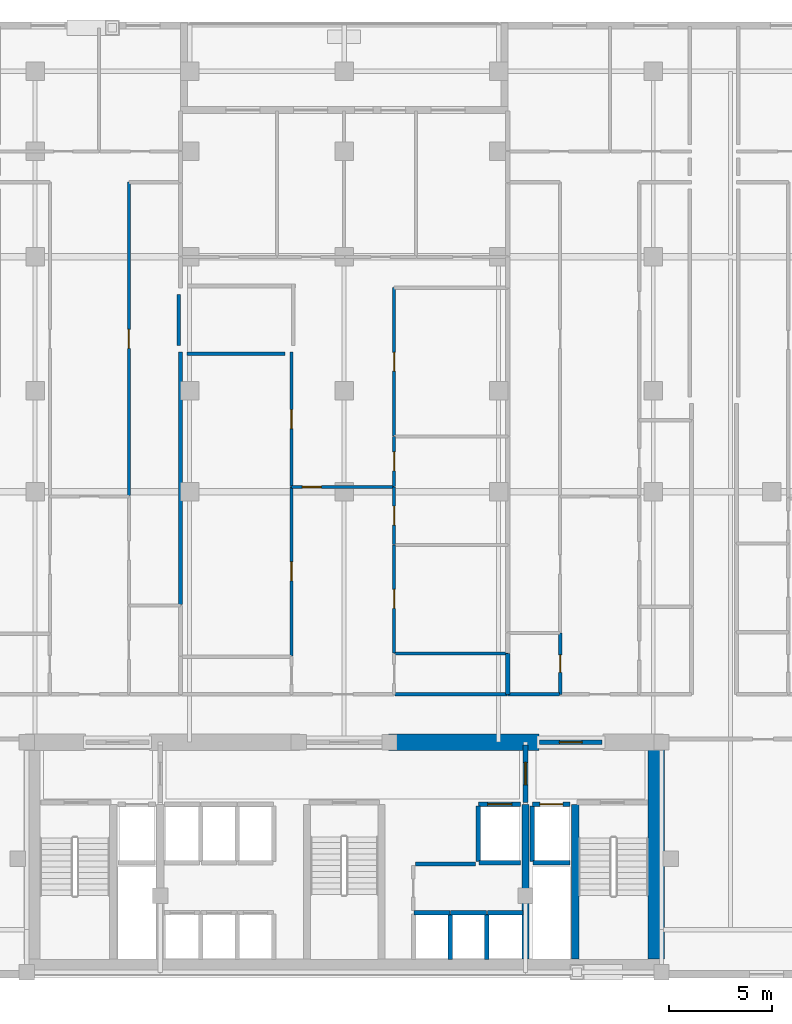
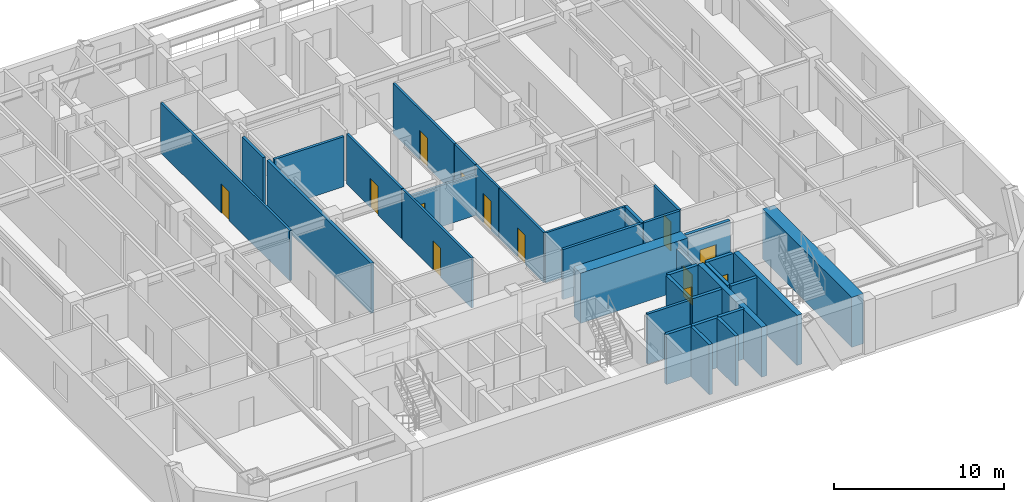
# One storey, part 5 of 10: 34 walls, 13 doors, 13 openings.
"""IFC4 building model written with IfcOpenShell, lengths in metres."""

from ifc_helpers import new_model, si_unit, direction, frame, frame_2d, origin, place, context, subcontext, project, spatial, rectangle, extrude, material, layer, layer_set, type_object, element, fill, save


model = new_model("IFC4")

# Units and contexts
model_context = context("Model", 3, precision=1e-05, world=origin(), true_north=direction((0.0, 1.0)))
body_context = subcontext(model_context, "Body", "Model", "MODEL_VIEW")
ifc_project = project(units=[si_unit("LENGTHUNIT", "METRE"), si_unit("AREAUNIT", "SQUARE_METRE"), si_unit("VOLUMEUNIT", "CUBIC_METRE"), si_unit("PLANEANGLEUNIT", "RADIAN"), si_unit("MASSUNIT", "GRAM", prefix="KILO")], contexts=[model_context])

# Site, building, storey
site_placement = place(None, origin())
site = spatial("IfcSite", under=ifc_project, at=site_placement, CompositionType="ELEMENT")
building_placement = place(site_placement, origin())
building = spatial("IfcBuilding", under=site, at=building_placement, Name="Ventersveld Concourse Tower", CompositionType="ELEMENT")
storey_placement = place(building_placement, frame((0.0, 0.0, 64.449951171875)))
storey = spatial("IfcBuildingStorey", under=building, at=storey_placement, Name="L15", CompositionType="ELEMENT", Elevation=64.449951171875)

# Walls
ifc_material_1 = material(Name="Concrete C60/75", Category="concrete")
ifc_layer_1 = layer(ifc_material_1, 0.35009765625)
ifc_layer_set_1 = layer_set([ifc_layer_1], Name="Concrete C60/75")
wall_type_1 = type_object("IfcWallType", Name="WL-CORE-350L", PredefinedType="SHEAR", material=ifc_layer_set_1)
for number, where, z_axis, x_axis, name in (
    (1, (37.550048828125, 0.919921875, 0.0), (0.0, 0.0, 1.0), (0.0, 1.0, 0.0), "L15 Core Internal Shear Web W-SVL-W"),
    (2, (39.9599609375, 0.919921875, 0.0), (0.0, 0.0, 1.0), (0.0, 1.0, 0.0), "L15 Core Internal Shear Web W-ST2-W"),
):
    element("IfcWall", number, at=place(storey_placement, frame(where, z_axis=z_axis, x_axis=x_axis)), inside=storey, type_object=wall_type_1, Name=name, PredefinedType="SHEAR", context=body_context, shape_type="SweptSolid", body=[
        extrude(rectangle(XDim=7.5, YDim=0.35009765625, at=frame_2d((3.75, 0.0))), origin(), (0.0, 0.0, 1.0), 3.60009765625),
    ])
ifc_layer_2 = layer(ifc_material_1, 0.800048828125)
ifc_layer_set_2 = layer_set([ifc_layer_2], Name="Concrete C60/75")
wall_type_2 = type_object("IfcWallType", Name="WL-CORE-800", PredefinedType="SHEAR", material=ifc_layer_set_2)
wall_1_placement = place(storey_placement, frame((43.89990234375, 0.919921875, 0.0), z_axis=(0.0, 0.0, 1.0), x_axis=(0.0, 1.0, 0.0)))
element("IfcWall", 3, at=wall_1_placement, inside=storey, type_object=wall_type_2, Name="L15 Rear Core East Shear Wall", PredefinedType="SHEAR", context=body_context, shape_type="SweptSolid", body=[
    extrude(rectangle(XDim=10.530029296875, YDim=0.800048828125, at=frame_2d((5.26513671875, 0.0))), origin(), (0.0, 0.0, 1.0), 3.60009765625),
])
wall_2_placement = place(storey_placement, frame((30.89990234375, 11.449951171875, 0.0), z_axis=(0.0, 0.0, 1.0), x_axis=(1.0, 0.0, 0.0)))
element("IfcWall", 4, at=wall_2_placement, inside=storey, type_object=wall_type_2, Name="L15 Rear Core North Shear Wall NMR", PredefinedType="SHEAR", context=body_context, shape_type="SweptSolid", body=[
    extrude(rectangle(XDim=7.300048828125, YDim=0.800048828125, at=frame_2d((3.64990234375, 0.0))), origin(), (0.0, 0.0, 1.0), 3.60009765625),
])
ifc_material_2 = material(Name="Fire-rated autoclaved aerated masonry blockwork", Category="masonry")
ifc_layer_3 = layer(ifc_material_2, 0.179931640625)
ifc_layer_set_3 = layer_set([ifc_layer_3], Name="Fire-rated autoclaved aerated masonry blockwork")
wall_type_3 = type_object("IfcWallType", Name="WL-CORR-180", PredefinedType="PARTITIONING", material=ifc_layer_set_3)
wall_3_placement = place(storey_placement, frame((32.219970703125, 5.530029296875, 0.0), z_axis=(0.0, 0.0, 1.0), x_axis=(1.0, 0.0, 0.0)))
element("IfcWall", 5, at=wall_3_placement, inside=storey, type_object=wall_type_3, Name="L15 Core Top Wall SP-L15-CBAY2", PredefinedType="PARTITIONING", context=body_context, shape_type="SweptSolid", body=[
    extrude(rectangle(XDim=2.900146484375, YDim=0.179931640625, at=frame_2d((1.4501953125, 0.0))), origin(), (0.0, 0.0, 1.0), 3.60009765625),
])
wall_4_placement = place(storey_placement, frame((36.68505859375, 13.77001953125, 0.0), z_axis=(0.0, 0.0, 1.0), x_axis=(1.0, 0.0, 0.0)))
element("IfcWall", 6, at=wall_4_placement, inside=storey, type_object=wall_type_3, Name="L15 Interior Partition SP-L15-COR-SP-L15-15CE-BATH", PredefinedType="PARTITIONING", context=body_context, shape_type="SweptSolid", body=[
    extrude(rectangle(XDim=2.509765625, YDim=0.179931640625, at=frame_2d((1.2548828125, 0.0))), origin(), (0.0, 0.0, 1.0), 3.60009765625),
])
wall_5_placement = place(storey_placement, frame((31.209716796875, 13.77001953125, 0.0), z_axis=(0.0, 0.0, 1.0), x_axis=(1.0, 0.0, 0.0)))
element("IfcWall", 7, at=wall_5_placement, inside=storey, type_object=wall_type_3, Name="L15 Interior Partition SP-L15-COR-SP-L15-15CM-KIT", PredefinedType="PARTITIONING", context=body_context, shape_type="SweptSolid", body=[
    extrude(rectangle(XDim=5.4453125, YDim=0.179931640625, at=frame_2d((2.72265625, 0.0))), origin(), (0.0, 0.0, 1.0), 3.60009765625),
])
wall_6_placement = place(storey_placement, frame((20.719970703125, 33.18017578125, 0.0), z_axis=(0.0, 0.0, 1.0), x_axis=(0.0, -1.0, 0.0)))
element("IfcWall", 8, at=wall_6_placement, inside=storey, type_object=wall_type_3, Name="L15 Room Enclosure Wall SP-L15-15CW-DENR", PredefinedType="PARTITIONING", context=body_context, shape_type="SweptSolid", body=[
    extrude(rectangle(XDim=2.47802734375, YDim=0.179931640625, at=frame_2d((1.239013671875, 0.0))), origin(), (0.0, 0.0, 1.0), 3.60009765625),
])
wall_7_placement = place(storey_placement, frame((21.135009765625, 30.292236328125, 0.0), z_axis=(0.0, 0.0, 1.0), x_axis=(1.0, 0.0, 0.0)))
element("IfcWall", 9, at=wall_7_placement, inside=storey, type_object=wall_type_3, Name="L15 Room Enclosure Wall SP-L15-15CM-DENL", PredefinedType="PARTITIONING", context=body_context, shape_type="SweptSolid", body=[
    extrude(rectangle(XDim=4.734619140625, YDim=0.179931640625, at=frame_2d((2.3671875, 0.0))), origin(), (0.0, 0.0, 1.0), 3.60009765625),
])
ifc_layer_4 = layer(ifc_material_2, 0.199951171875)
ifc_layer_set_4 = layer_set([ifc_layer_4], Name="Fire-rated autoclaved aerated masonry blockwork")
wall_type_4 = type_object("IfcWallType", Name="WL-DEMISE-200", PredefinedType="PARTITIONING", material=ifc_layer_set_4)
wall_8_placement = place(storey_placement, frame((20.81005859375, 18.116943359375, 0.0), z_axis=(0.0, 0.0, 1.0), x_axis=(0.0, 1.0, 0.0)))
element("IfcWall", 10, at=wall_8_placement, inside=storey, type_object=wall_type_4, Name="L15 Interior Partition SP-L15-15CW-DENR-SP-L15-15CM-DENL", PredefinedType="PARTITIONING", context=body_context, shape_type="SweptSolid", body=[
    extrude(rectangle(XDim=12.270263671875, YDim=0.199951171875, at=frame_2d((6.13525390625, 0.0))), origin(), (0.0, 0.0, 1.0), 3.60009765625),
])
wall_9_placement = place(storey_placement, frame((36.68994140625, 13.764892578125, 0.0), z_axis=(0.0, 0.0, 1.0), x_axis=(0.0, 1.0, 0.0)))
element("IfcWall", 11, at=wall_9_placement, inside=storey, type_object=wall_type_4, Name="L15 Interior Partition SP-L15-15CE-BATH-SP-L15-15CM-KIT", PredefinedType="PARTITIONING", context=body_context, shape_type="SweptSolid", body=[
    extrude(rectangle(XDim=1.989501953125, YDim=0.199951171875, at=frame_2d((0.99462890625, 0.0))), origin(), (0.0, 0.0, 1.0), 3.60009765625),
])
ifc_layer_5 = layer(ifc_material_2, 0.219970703125)
ifc_layer_set_5 = layer_set([ifc_layer_5], Name="Fire-rated autoclaved aerated masonry blockwork")
wall_type_5 = type_object("IfcWallType", Name="WL-HOIST-220", PredefinedType="SOLIDWALL", material=ifc_layer_set_5)
wall_10_placement = place(storey_placement, frame((37.919921875, 5.590087890625, 0.0), z_axis=(0.0, 0.0, 1.0), x_axis=(1.0, 0.0, 0.0)))
element("IfcWall", 12, at=wall_10_placement, inside=storey, type_object=wall_type_5, Name="L15 Lift Hoistway Back Wall FFL-02", PredefinedType="SOLIDWALL", context=body_context, shape_type="SweptSolid", body=[
    extrude(rectangle(XDim=1.780029296875, YDim=0.219970703125, at=frame_2d((0.89013671875, 0.0))), origin(), (0.0, 0.0, 1.0), 3.60009765625),
])
wall_11_placement = place(storey_placement, frame((37.8798828125, 5.64990234375, 0.0), z_axis=(0.0, 0.0, 1.0), x_axis=(0.0, 1.0, 0.0)))
element("IfcWall", 13, at=wall_11_placement, inside=storey, type_object=wall_type_5, Name="L15 Lift Hoistway Side Wall FFL-02W", PredefinedType="SOLIDWALL", context=body_context, shape_type="SweptSolid", body=[
    extrude(rectangle(XDim=2.7001953125, YDim=0.219970703125, at=frame_2d((1.35009765625, 0.0))), origin(), (0.0, 0.0, 1.0), 3.60009765625),
])

# Wall, opening, door
wall_12_placement = place(storey_placement, frame((37.89990234375, 8.429931640625, 0.0), z_axis=(0.0, 0.0, 1.0), x_axis=(1.0, 0.0, 0.0)))
wall_12 = element("IfcWall", 14, at=wall_12_placement, inside=storey, type_object=wall_type_5, Name="L15 Lift Hoistway Front Wall FFL-02", PredefinedType="SOLIDWALL", context=body_context, shape_type="SweptSolid", body=[
    extrude(rectangle(XDim=1.820068359375, YDim=0.219970703125, at=frame_2d((0.91015625, 0.0))), origin(), (0.0, 0.0, 1.0), 3.60009765625),
])
opening_1_placement = place(wall_12_placement, frame((0.35009765625, 0.0, 0.0)))
opening_1 = element("IfcOpeningElement", 15, at=opening_1_placement, cuts=wall_12, Name="Opening LD1", PredefinedType="OPENING", context=body_context, shape_type="SweptSolid", body=[
    extrude(rectangle(XDim=1.1201171875, YDim=2.25, at=frame_2d((0.56005859375, 1.125))), frame((0.0, 0.1201171875, 0.0), z_axis=(0.0, -1.0, 0.0), x_axis=(1.0, 0.0, 0.0)), (0.0, 0.0, 1.0), 0.239990234375),
])
ifc_material_3 = material(Name="Brushed stainless steel 316", Category="steel")
door_type_1 = type_object("IfcDoorType", Name="LD-FF-112", OperationType="SLIDING_TO_LEFT", PredefinedType="DOOR", material=ifc_material_3)
door_1_placement = place(opening_1_placement, origin())
door_1 = element("IfcDoor", 16, at=door_1_placement, inside=storey, type_object=door_type_1, Name="L15 Lift landing door FFL-02 (LD-L15-FFL-02)", OperationType="SLIDING_TO_RIGHT", OverallHeight=2.25, OverallWidth=1.1201171875, PredefinedType="DOOR", context=body_context, shape_type="SweptSolid", body=[
    extrude(rectangle(XDim=1.1201171875, YDim=2.25, at=frame_2d((0.56005859375, 1.125))), frame((0.0, 0.02490234375, 0.0), z_axis=(0.0, -1.0, 0.0), x_axis=(1.0, 0.0, 0.0)), (0.0, 0.0, 1.0), 0.050048828125),
])
fill(opening_1, door_1)

# Walls
wall_13_placement = place(storey_placement, frame((35.300048828125, 5.590087890625, 0.0), z_axis=(0.0, 0.0, 1.0), x_axis=(1.0, 0.0, 0.0)))
element("IfcWall", 17, at=wall_13_placement, inside=storey, type_object=wall_type_5, Name="L15 Lift Hoistway Back Wall SVL-01", PredefinedType="SOLIDWALL", context=body_context, shape_type="SweptSolid", body=[
    extrude(rectangle(XDim=2.0, YDim=0.219970703125, at=frame_2d((1.0, 0.0))), origin(), (0.0, 0.0, 1.0), 3.60009765625),
])
wall_14_placement = place(storey_placement, frame((35.260009765625, 5.64990234375, 0.0), z_axis=(0.0, 0.0, 1.0), x_axis=(0.0, 1.0, 0.0)))
element("IfcWall", 18, at=wall_14_placement, inside=storey, type_object=wall_type_5, Name="L15 Lift Hoistway Side Wall SVL-01W", PredefinedType="SOLIDWALL", context=body_context, shape_type="SweptSolid", body=[
    extrude(rectangle(XDim=2.7001953125, YDim=0.219970703125, at=frame_2d((1.35009765625, 0.0))), origin(), (0.0, 0.0, 1.0), 3.60009765625),
])

# Wall, opening, door
wall_15_placement = place(storey_placement, frame((35.280029296875, 8.429931640625, 0.0), z_axis=(0.0, 0.0, 1.0), x_axis=(1.0, 0.0, 0.0)))
wall_15 = element("IfcWall", 19, at=wall_15_placement, inside=storey, type_object=wall_type_5, Name="L15 Lift Hoistway Front Wall SVL-01", PredefinedType="SOLIDWALL", context=body_context, shape_type="SweptSolid", body=[
    extrude(rectangle(XDim=2.0400390625, YDim=0.219970703125, at=frame_2d((1.02001953125, 0.0))), origin(), (0.0, 0.0, 1.0), 3.60009765625),
])
opening_2_placement = place(wall_15_placement, frame((0.429931640625, 0.0, 0.0)))
opening_2 = element("IfcOpeningElement", 20, at=opening_2_placement, cuts=wall_15, Name="Opening LD2", PredefinedType="OPENING", context=body_context, shape_type="SweptSolid", body=[
    extrude(rectangle(XDim=1.179931640625, YDim=2.199951171875, at=frame_2d((0.58984375, 1.10009765625))), frame((0.0, 0.1201171875, 0.0), z_axis=(0.0, -1.0, 0.0), x_axis=(1.0, 0.0, 0.0)), (0.0, 0.0, 1.0), 0.239990234375),
])
door_type_2 = type_object("IfcDoorType", Name="LD-PAX-118", OperationType="SLIDING_TO_LEFT", PredefinedType="DOOR", material=ifc_material_3)
door_2_placement = place(opening_2_placement, origin())
door_2 = element("IfcDoor", 21, at=door_2_placement, inside=storey, type_object=door_type_2, Name="L15 Lift landing door SVL-01 (LD-L15-SVL-01)", OperationType="SLIDING_TO_LEFT", OverallHeight=2.199951171875, OverallWidth=1.179931640625, PredefinedType="DOOR", context=body_context, shape_type="SweptSolid", body=[
    extrude(rectangle(XDim=1.179931640625, YDim=2.199951171875, at=frame_2d((0.58984375, 1.10009765625))), frame((0.0, 0.02490234375, 0.0), z_axis=(0.0, -1.0, 0.0), x_axis=(1.0, 0.0, 0.0)), (0.0, 0.0, 1.0), 0.050048828125),
])
fill(opening_2, door_2)

# Walls
wall_16_placement = place(storey_placement, frame((33.89990234375, 0.89990234375, 0.0), z_axis=(0.0, 0.0, 1.0), x_axis=(0.0, 1.0, 0.0)))
element("IfcWall", 22, at=wall_16_placement, inside=storey, type_object=wall_type_5, Name="L15 Lift Hoistway Side Wall PM-01E", PredefinedType="SOLIDWALL", context=body_context, shape_type="SweptSolid", body=[
    extrude(rectangle(XDim=2.2001953125, YDim=0.219970703125, at=frame_2d((1.10009765625, 0.0))), origin(), (0.0, 0.0, 1.0), 3.60009765625),
])
wall_17_placement = place(storey_placement, frame((32.139892578125, 3.179931640625, 0.0), z_axis=(0.0, 0.0, 1.0), x_axis=(1.0, 0.0, 0.0)))
element("IfcWall", 23, at=wall_17_placement, inside=storey, type_object=wall_type_5, Name="L15 Lift Hoistway Front Wall PM-01", PredefinedType="SOLIDWALL", context=body_context, shape_type="SweptSolid", body=[
    extrude(rectangle(XDim=1.739990234375, YDim=0.219970703125, at=frame_2d((0.8701171875, 0.0))), origin(), (0.0, 0.0, 1.0), 3.60009765625),
])
wall_18_placement = place(storey_placement, frame((35.679931640625, 0.89990234375, 0.0), z_axis=(0.0, 0.0, 1.0), x_axis=(0.0, 1.0, 0.0)))
element("IfcWall", 24, at=wall_18_placement, inside=storey, type_object=wall_type_5, Name="L15 Lift Hoistway Side Wall PM-02E", PredefinedType="SOLIDWALL", context=body_context, shape_type="SweptSolid", body=[
    extrude(rectangle(XDim=2.2001953125, YDim=0.219970703125, at=frame_2d((1.10009765625, 0.0))), origin(), (0.0, 0.0, 1.0), 3.60009765625),
])
for number, where, z_axis, x_axis, name in (
    (25, (33.919921875, 3.179931640625, 0.0), (0.0, 0.0, 1.0), (1.0, 0.0, 0.0), "L15 Lift Hoistway Front Wall PM-02"),
    (26, (35.699951171875, 3.179931640625, 0.0), (0.0, 0.0, 1.0), (1.0, 0.0, 0.0), "L15 Lift Hoistway Front Wall PM-03"),
):
    element("IfcWall", number, at=place(storey_placement, frame(where, z_axis=z_axis, x_axis=x_axis)), inside=storey, type_object=wall_type_5, Name=name, PredefinedType="SOLIDWALL", context=body_context, shape_type="SweptSolid", body=[
        extrude(rectangle(XDim=1.739990234375, YDim=0.219970703125, at=frame_2d((0.8701171875, 0.0))), origin(), (0.0, 0.0, 1.0), 3.60009765625),
    ])

# Wall, opening, door
wall_19_placement = place(storey_placement, frame((37.550048828125, 8.52001953125, 0.0), z_axis=(0.0, 0.0, 1.0), x_axis=(0.0, 1.0, 0.0)))
wall_19 = element("IfcWall", 27, at=wall_19_placement, inside=storey, type_object=wall_type_5, Name="L15 Firefighting Lobby Smoke-Stop Wall FFLE-SEP", PredefinedType="SOLIDWALL", context=body_context, shape_type="SweptSolid", body=[
    extrude(rectangle(XDim=2.800048828125, YDim=0.219970703125, at=frame_2d((1.39990234375, 0.0))), origin(), (0.0, 0.0, 1.0), 3.0556640625),
])
opening_3_placement = place(wall_19_placement, frame((0.85009765625, 0.0, 0.0)))
opening_3 = element("IfcOpeningElement", 28, at=opening_3_placement, cuts=wall_19, Name="Opening FD2", PredefinedType="OPENING", context=body_context, shape_type="SweptSolid", body=[
    extrude(rectangle(XDim=1.10009765625, YDim=2.199951171875, at=frame_2d((0.550048828125, 1.10009765625))), frame((0.0, 0.1201171875, 0.0), z_axis=(0.0, -1.0, 0.0), x_axis=(1.0, 0.0, 0.0)), (0.0, 0.0, 1.0), 0.239990234375),
])
ifc_material_4 = material(Name="Galvanised painted steel", Category="steel")
door_type_3 = type_object("IfcDoorType", Name="DR-FFL-110", OperationType="NOTDEFINED", PredefinedType="DOOR", material=ifc_material_4)
door_3_placement = place(opening_3_placement, origin())
door_3 = element("IfcDoor", 29, at=door_3_placement, inside=storey, type_object=door_type_3, Name="L15 Firefighting Lobby Door FFLE-SEP (FD-L15-0650)", OperationType="SINGLE_SWING_RIGHT", OverallHeight=2.199951171875, OverallWidth=1.10009765625, PredefinedType="DOOR", context=body_context, shape_type="SweptSolid", body=[
    extrude(rectangle(XDim=1.10009765625, YDim=2.199951171875, at=frame_2d((0.550048828125, 1.10009765625))), frame((0.0, 0.02490234375, 0.0), z_axis=(0.0, -1.0, 0.0), x_axis=(1.0, 0.0, 0.0)), (0.0, 0.0, 1.0), 0.050048828125),
])
fill(opening_3, door_3)

wall_20_placement = place(storey_placement, frame((38.22998046875, 11.449951171875, 0.0), z_axis=(0.0, 0.0, 1.0), x_axis=(1.0, 0.0, 0.0)))
wall_20 = element("IfcWall", 30, at=wall_20_placement, inside=storey, type_object=wall_type_5, Name="L15 Core North Fire Portal FFLE-OUT", PredefinedType="SOLIDWALL", context=body_context, shape_type="SweptSolid", body=[
    extrude(rectangle(XDim=3.0400390625, YDim=0.219970703125, at=frame_2d((1.52001953125, 0.0))), origin(), (0.0, 0.0, 1.0), 3.60009765625),
])
opening_4_placement = place(wall_20_placement, frame((0.969970703125, 0.0, 0.0)))
opening_4 = element("IfcOpeningElement", 31, at=opening_4_placement, cuts=wall_20, Name="Opening FD2", PredefinedType="OPENING", context=body_context, shape_type="SweptSolid", body=[
    extrude(rectangle(XDim=1.10009765625, YDim=2.199951171875, at=frame_2d((0.550048828125, 1.10009765625))), frame((0.0, 0.1201171875, 0.0), z_axis=(0.0, -1.0, 0.0), x_axis=(1.0, 0.0, 0.0)), (0.0, 0.0, 1.0), 0.239990234375),
])
door_4_placement = place(opening_4_placement, origin())
door_4 = element("IfcDoor", 32, at=door_4_placement, inside=storey, type_object=door_type_3, Name="L15 Core Lobby Fire Door FFLE-OUT (FD-L15-0653)", OperationType="SINGLE_SWING_LEFT", OverallHeight=2.199951171875, OverallWidth=1.10009765625, PredefinedType="DOOR", context=body_context, shape_type="SweptSolid", body=[
    extrude(rectangle(XDim=1.10009765625, YDim=2.199951171875, at=frame_2d((0.550048828125, 1.10009765625))), frame((0.0, 0.02490234375, 0.0), z_axis=(0.0, -1.0, 0.0), x_axis=(1.0, 0.0, 0.0)), (0.0, 0.0, 1.0), 0.050048828125),
])
fill(opening_4, door_4)

ifc_material_5 = material(Name="Autoclaved aerated masonry blockwork", Category="masonry")
ifc_layer_6 = layer(ifc_material_5, 0.14990234375)
ifc_layer_set_6 = layer_set([ifc_layer_6], Name="Autoclaved aerated masonry blockwork")
wall_type_6 = type_object("IfcWallType", Name="WL-INT-150", PredefinedType="PARTITIONING", material=ifc_layer_set_6)
wall_21_placement = place(storey_placement, frame((18.306640625, 23.40966796875, 0.0), z_axis=(0.0, 0.0, 1.0), x_axis=(0.0, 1.0, 0.0)))
wall_21 = element("IfcWall", 33, at=wall_21_placement, inside=storey, type_object=wall_type_6, Name="L15 Interior Partition SP-L15-15CW-LIV-SP-L15-15CW-DENR", PredefinedType="PARTITIONING", context=body_context, shape_type="SweptSolid", body=[
    extrude(rectangle(XDim=15.21533203125, YDim=0.14990234375, at=frame_2d((7.607666015625, 0.0))), origin(), (0.0, 0.0, 1.0), 3.60009765625),
])
opening_5_placement = place(wall_21_placement, frame((7.147705078125, 0.0, 0.0)))
opening_5 = element("IfcOpeningElement", 34, at=opening_5_placement, cuts=wall_21, Name="Opening ID1", PredefinedType="OPENING", context=body_context, shape_type="SweptSolid", body=[
    extrude(rectangle(XDim=0.919921875, YDim=2.10009765625, at=frame_2d((0.4599609375, 1.050048828125))), frame((0.0, 0.0849609375, 0.0), z_axis=(0.0, -1.0, 0.0), x_axis=(1.0, 0.0, 0.0)), (0.0, 0.0, 1.0), 0.169921875),
])
ifc_material_6 = material(Name="Solid-core hardwood veneer timber", Category="wood")
door_type_4 = type_object("IfcDoorType", Name="DR-ROOM-092", OperationType="NOTDEFINED", PredefinedType="DOOR", material=ifc_material_6)
door_5_placement = place(opening_5_placement, origin())
door_5 = element("IfcDoor", 35, at=door_5_placement, inside=storey, type_object=door_type_4, Name="L15 Interior Door SP-L15-15CW-LIV to SP-L15-15CW-DENR (D-L15-0689)", OperationType="SINGLE_SWING_LEFT", OverallHeight=2.10009765625, OverallWidth=0.919921875, PredefinedType="DOOR", context=body_context, shape_type="SweptSolid", body=[
    extrude(rectangle(XDim=0.919921875, YDim=2.10009765625, at=frame_2d((0.4599609375, 1.050048828125))), frame((0.0, 0.02490234375, 0.0), z_axis=(0.0, -1.0, 0.0), x_axis=(1.0, 0.0, 0.0)), (0.0, 0.0, 1.0), 0.050048828125),
])
fill(opening_5, door_5)

wall_22_placement = place(storey_placement, frame((26.189697265625, 23.830810546875, 0.0), z_axis=(0.0, 0.0, 1.0), x_axis=(1.0, 0.0, 0.0)))
wall_22 = element("IfcWall", 36, at=wall_22_placement, inside=storey, type_object=wall_type_6, Name="L15 Interior Partition SP-L15-15CM-FOY-SP-L15-15CM-LIV", PredefinedType="PARTITIONING", context=body_context, shape_type="SweptSolid", body=[
    extrude(rectangle(XDim=4.989990234375, YDim=0.14990234375, at=frame_2d((2.4951171875, 0.0))), origin(), (0.0, 0.0, 1.0), 2.96435546875),
])
opening_6_placement = place(wall_22_placement, frame((0.5380859375, 0.0, 0.0)))
opening_6 = element("IfcOpeningElement", 37, at=opening_6_placement, cuts=wall_22, Name="Opening ID1", PredefinedType="OPENING", context=body_context, shape_type="SweptSolid", body=[
    extrude(rectangle(XDim=0.919921875, YDim=2.10009765625, at=frame_2d((0.4599609375, 1.050048828125))), frame((0.0, 0.0849609375, 0.0), z_axis=(0.0, -1.0, 0.0), x_axis=(1.0, 0.0, 0.0)), (0.0, 0.0, 1.0), 0.169921875),
])
door_6_placement = place(opening_6_placement, origin())
door_6 = element("IfcDoor", 38, at=door_6_placement, inside=storey, type_object=door_type_4, Name="L15 Interior Door SP-L15-15CM-FOY to SP-L15-15CM-LIV (D-L15-0702)", OperationType="SINGLE_SWING_RIGHT", OverallHeight=2.10009765625, OverallWidth=0.919921875, PredefinedType="DOOR", context=body_context, shape_type="SweptSolid", body=[
    extrude(rectangle(XDim=0.919921875, YDim=2.10009765625, at=frame_2d((0.4599609375, 1.050048828125))), frame((0.0, 0.02490234375, 0.0), z_axis=(0.0, -1.0, 0.0), x_axis=(1.0, 0.0, 0.0)), (0.0, 0.0, 1.0), 0.050048828125),
])
fill(opening_6, door_6)

wall_23_placement = place(storey_placement, frame((26.194580078125, 15.635009765625, 0.0), z_axis=(0.0, 0.0, 1.0), x_axis=(0.0, 1.0, 0.0)))
wall_23 = element("IfcWall", 39, at=wall_23_placement, inside=storey, type_object=wall_type_6, Name="L15 Interior Partition SP-L15-15CM-FOY-SP-L15-15CM-DENL", PredefinedType="PARTITIONING", context=body_context, shape_type="SweptSolid", body=[
    extrude(rectangle(XDim=8.20068359375, YDim=0.14990234375, at=frame_2d((4.100341796875, 0.0))), origin(), (0.0, 0.0, 1.0), 3.60009765625),
])
opening_7_placement = place(wall_23_placement, frame((3.640380859375, 0.0, 0.0)))
opening_7 = element("IfcOpeningElement", 40, at=opening_7_placement, cuts=wall_23, Name="Opening ID1", PredefinedType="OPENING", context=body_context, shape_type="SweptSolid", body=[
    extrude(rectangle(XDim=0.919921875, YDim=2.10009765625, at=frame_2d((0.4599609375, 1.050048828125))), frame((0.0, 0.0849609375, 0.0), z_axis=(0.0, -1.0, 0.0), x_axis=(1.0, 0.0, 0.0)), (0.0, 0.0, 1.0), 0.169921875),
])
door_7_placement = place(opening_7_placement, origin())
door_7 = element("IfcDoor", 41, at=door_7_placement, inside=storey, type_object=door_type_4, Name="L15 Interior Door SP-L15-15CM-FOY to SP-L15-15CM-DENL (D-L15-0704)", OperationType="SINGLE_SWING_RIGHT", OverallHeight=2.10009765625, OverallWidth=0.919921875, PredefinedType="DOOR", context=body_context, shape_type="SweptSolid", body=[
    extrude(rectangle(XDim=0.919921875, YDim=2.10009765625, at=frame_2d((0.4599609375, 1.050048828125))), frame((0.0, 0.02490234375, 0.0), z_axis=(0.0, -1.0, 0.0), x_axis=(1.0, 0.0, 0.0)), (0.0, 0.0, 1.0), 0.050048828125),
])
fill(opening_7, door_7)

wall_24_placement = place(storey_placement, frame((31.1748046875, 15.7841796875, 0.0), z_axis=(0.0, 0.0, 1.0), x_axis=(0.0, 1.0, 0.0)))
wall_24 = element("IfcWall", 42, at=wall_24_placement, inside=storey, type_object=wall_type_6, Name="L15 Interior Partition SP-L15-15CM-FOY-SP-L15-15CM-DENR", PredefinedType="PARTITIONING", context=body_context, shape_type="SweptSolid", body=[
    extrude(rectangle(XDim=5.23388671875, YDim=0.14990234375, at=frame_2d((2.616943359375, 0.0))), origin(), (0.0, 0.0, 1.0), 3.60009765625),
])
opening_8_placement = place(wall_24_placement, frame((2.156982421875, 0.0, 0.0)))
opening_8 = element("IfcOpeningElement", 43, at=opening_8_placement, cuts=wall_24, Name="Opening ID1", PredefinedType="OPENING", context=body_context, shape_type="SweptSolid", body=[
    extrude(rectangle(XDim=0.919921875, YDim=2.10009765625, at=frame_2d((0.4599609375, 1.050048828125))), frame((0.0, 0.0849609375, 0.0), z_axis=(0.0, -1.0, 0.0), x_axis=(1.0, 0.0, 0.0)), (0.0, 0.0, 1.0), 0.169921875),
])
door_8_placement = place(opening_8_placement, origin())
door_8 = element("IfcDoor", 44, at=door_8_placement, inside=storey, type_object=door_type_4, Name="L15 Interior Door SP-L15-15CM-FOY to SP-L15-15CM-DENR (D-L15-0706)", OperationType="SINGLE_SWING_RIGHT", OverallHeight=2.10009765625, OverallWidth=0.919921875, PredefinedType="DOOR", context=body_context, shape_type="SweptSolid", body=[
    extrude(rectangle(XDim=0.919921875, YDim=2.10009765625, at=frame_2d((0.4599609375, 1.050048828125))), frame((0.0, 0.02490234375, 0.0), z_axis=(0.0, -1.0, 0.0), x_axis=(1.0, 0.0, 0.0)), (0.0, 0.0, 1.0), 0.050048828125),
])
fill(opening_8, door_8)

wall_25_placement = place(storey_placement, frame((31.1748046875, 21.048095703125, 0.0), z_axis=(0.0, 0.0, 1.0), x_axis=(0.0, 1.0, 0.0)))
wall_25 = element("IfcWall", 45, at=wall_25_placement, inside=storey, type_object=wall_type_6, Name="L15 Interior Partition SP-L15-15CM-FOY-SP-L15-15CM-DENS", PredefinedType="PARTITIONING", context=body_context, shape_type="SweptSolid", body=[
    extrude(rectangle(XDim=2.78759765625, YDim=0.14990234375, at=frame_2d((1.393798828125, 0.0))), origin(), (0.0, 0.0, 1.0), 3.60009765625),
])
opening_9_placement = place(wall_25_placement, frame((0.933837890625, 0.0, 0.0)))
opening_9 = element("IfcOpeningElement", 46, at=opening_9_placement, cuts=wall_25, Name="Opening ID1", PredefinedType="OPENING", context=body_context, shape_type="SweptSolid", body=[
    extrude(rectangle(XDim=0.919921875, YDim=2.10009765625, at=frame_2d((0.4599609375, 1.050048828125))), frame((0.0, 0.0849609375, 0.0), z_axis=(0.0, -1.0, 0.0), x_axis=(1.0, 0.0, 0.0)), (0.0, 0.0, 1.0), 0.169921875),
])
door_9_placement = place(opening_9_placement, origin())
door_9 = element("IfcDoor", 47, at=door_9_placement, inside=storey, type_object=door_type_4, Name="L15 Interior Door SP-L15-15CM-FOY to SP-L15-15CM-DENS (D-L15-0707)", OperationType="SINGLE_SWING_LEFT", OverallHeight=2.10009765625, OverallWidth=0.919921875, PredefinedType="DOOR", context=body_context, shape_type="SweptSolid", body=[
    extrude(rectangle(XDim=0.919921875, YDim=2.10009765625, at=frame_2d((0.4599609375, 1.050048828125))), frame((0.0, 0.02490234375, 0.0), z_axis=(0.0, -1.0, 0.0), x_axis=(1.0, 0.0, 0.0)), (0.0, 0.0, 1.0), 0.050048828125),
])
fill(opening_9, door_9)

wall_26_placement = place(storey_placement, frame((26.194580078125, 23.86572265625, 0.0), z_axis=(0.0, 0.0, 1.0), x_axis=(0.0, 1.0, 0.0)))
wall_26 = element("IfcWall", 48, at=wall_26_placement, inside=storey, type_object=wall_type_6, Name="L15 Interior Partition SP-L15-15CM-LIV-SP-L15-15CM-DENL", PredefinedType="PARTITIONING", context=body_context, shape_type="SweptSolid", body=[
    extrude(rectangle(XDim=6.521484375, YDim=0.14990234375, at=frame_2d((3.2607421875, 0.0))), origin(), (0.0, 0.0, 1.0), 3.60009765625),
])
opening_10_placement = place(wall_26_placement, frame((2.80078125, 0.0, 0.0)))
opening_10 = element("IfcOpeningElement", 49, at=opening_10_placement, cuts=wall_26, Name="Opening ID1", PredefinedType="OPENING", context=body_context, shape_type="SweptSolid", body=[
    extrude(rectangle(XDim=0.919921875, YDim=2.10009765625, at=frame_2d((0.4599609375, 1.050048828125))), frame((0.0, 0.0849609375, 0.0), z_axis=(0.0, -1.0, 0.0), x_axis=(1.0, 0.0, 0.0)), (0.0, 0.0, 1.0), 0.169921875),
])
door_10_placement = place(opening_10_placement, origin())
door_10 = element("IfcDoor", 50, at=door_10_placement, inside=storey, type_object=door_type_4, Name="L15 Interior Door SP-L15-15CM-LIV to SP-L15-15CM-DENL (D-L15-0708)", OperationType="SINGLE_SWING_RIGHT", OverallHeight=2.10009765625, OverallWidth=0.919921875, PredefinedType="DOOR", context=body_context, shape_type="SweptSolid", body=[
    extrude(rectangle(XDim=0.919921875, YDim=2.10009765625, at=frame_2d((0.4599609375, 1.050048828125))), frame((0.0, 0.02490234375, 0.0), z_axis=(0.0, -1.0, 0.0), x_axis=(1.0, 0.0, 0.0)), (0.0, 0.0, 1.0), 0.050048828125),
])
fill(opening_10, door_10)

wall_27_placement = place(storey_placement, frame((31.1748046875, 23.86572265625, 0.0), z_axis=(0.0, 0.0, 1.0), x_axis=(0.0, 1.0, 0.0)))
wall_27 = element("IfcWall", 51, at=wall_27_placement, inside=storey, type_object=wall_type_6, Name="L15 Interior Partition SP-L15-15CM-LIV-SP-L15-15CM-DENS", PredefinedType="PARTITIONING", context=body_context, shape_type="SweptSolid", body=[
    extrude(rectangle(XDim=2.416015625, YDim=0.14990234375, at=frame_2d((1.2080078125, 0.0))), origin(), (0.0, 0.0, 1.0), 3.60009765625),
])
opening_11_placement = place(wall_27_placement, frame((0.748046875, 0.0, 0.0)))
opening_11 = element("IfcOpeningElement", 52, at=opening_11_placement, cuts=wall_27, Name="Opening ID1", PredefinedType="OPENING", context=body_context, shape_type="SweptSolid", body=[
    extrude(rectangle(XDim=0.919921875, YDim=2.10009765625, at=frame_2d((0.4599609375, 1.050048828125))), frame((0.0, 0.0849609375, 0.0), z_axis=(0.0, -1.0, 0.0), x_axis=(1.0, 0.0, 0.0)), (0.0, 0.0, 1.0), 0.169921875),
])
door_11_placement = place(opening_11_placement, origin())
door_11 = element("IfcDoor", 53, at=door_11_placement, inside=storey, type_object=door_type_4, Name="L15 Interior Door SP-L15-15CM-LIV to SP-L15-15CM-DENS (D-L15-0709)", OperationType="SINGLE_SWING_LEFT", OverallHeight=2.10009765625, OverallWidth=0.919921875, PredefinedType="DOOR", context=body_context, shape_type="SweptSolid", body=[
    extrude(rectangle(XDim=0.919921875, YDim=2.10009765625, at=frame_2d((0.4599609375, 1.050048828125))), frame((0.0, 0.02490234375, 0.0), z_axis=(0.0, -1.0, 0.0), x_axis=(1.0, 0.0, 0.0)), (0.0, 0.0, 1.0), 0.050048828125),
])
fill(opening_11, door_11)

wall_28_placement = place(storey_placement, frame((31.1748046875, 26.311767578125, 0.0), z_axis=(0.0, 0.0, 1.0), x_axis=(0.0, 1.0, 0.0)))
wall_28 = element("IfcWall", 54, at=wall_28_placement, inside=storey, type_object=wall_type_6, Name="L15 Interior Partition SP-L15-15CM-LIV-SP-L15-15CM-DENS2", PredefinedType="PARTITIONING", context=body_context, shape_type="SweptSolid", body=[
    extrude(rectangle(XDim=7.193115234375, YDim=0.14990234375, at=frame_2d((3.5966796875, 0.0))), origin(), (0.0, 0.0, 1.0), 3.60009765625),
])
opening_12_placement = place(wall_28_placement, frame((3.13671875, 0.0, 0.0)))
opening_12 = element("IfcOpeningElement", 55, at=opening_12_placement, cuts=wall_28, Name="Opening ID1", PredefinedType="OPENING", context=body_context, shape_type="SweptSolid", body=[
    extrude(rectangle(XDim=0.919921875, YDim=2.10009765625, at=frame_2d((0.4599609375, 1.050048828125))), frame((0.0, 0.0849609375, 0.0), z_axis=(0.0, -1.0, 0.0), x_axis=(1.0, 0.0, 0.0)), (0.0, 0.0, 1.0), 0.169921875),
])
door_12_placement = place(opening_12_placement, origin())
door_12 = element("IfcDoor", 56, at=door_12_placement, inside=storey, type_object=door_type_4, Name="L15 Interior Door SP-L15-15CM-LIV to SP-L15-15CM-DENS2 (D-L15-0710)", OperationType="SINGLE_SWING_RIGHT", OverallHeight=2.10009765625, OverallWidth=0.919921875, PredefinedType="DOOR", context=body_context, shape_type="SweptSolid", body=[
    extrude(rectangle(XDim=0.919921875, YDim=2.10009765625, at=frame_2d((0.4599609375, 1.050048828125))), frame((0.0, 0.02490234375, 0.0), z_axis=(0.0, -1.0, 0.0), x_axis=(1.0, 0.0, 0.0)), (0.0, 0.0, 1.0), 0.050048828125),
])
fill(opening_12, door_12)

# Wall
wall_29_placement = place(storey_placement, frame((31.169677734375, 15.749267578125, 0.0), z_axis=(0.0, 0.0, 1.0), x_axis=(1.0, 0.0, 0.0)))
element("IfcWall", 57, at=wall_29_placement, inside=storey, type_object=wall_type_6, Name="L15 Interior Partition SP-L15-15CM-KIT-SP-L15-15CM-DENR", PredefinedType="PARTITIONING", context=body_context, shape_type="SweptSolid", body=[
    extrude(rectangle(XDim=5.525390625, YDim=0.14990234375, at=frame_2d((2.7626953125, 0.0))), origin(), (0.0, 0.0, 1.0), 3.60009765625),
])

# Wall, opening, door
ifc_layer_7 = layer(ifc_material_5, 0.1650390625)
ifc_layer_set_7 = layer_set([ifc_layer_7], Name="Autoclaved aerated masonry blockwork")
wall_type_7 = type_object("IfcWallType", Name="WL-WET-165", PredefinedType="PLUMBINGWALL", material=ifc_layer_set_7)
wall_30_placement = place(storey_placement, frame((39.229736328125, 13.764892578125, 0.0), z_axis=(0.0, 0.0, 1.0), x_axis=(0.0, 1.0, 0.0)))
wall_30 = element("IfcWall", 58, at=wall_30_placement, inside=storey, type_object=wall_type_7, Name="L15 Interior Partition SP-L15-15CE-FOY-SP-L15-15CE-BATH", PredefinedType="PLUMBINGWALL", context=body_context, shape_type="SweptSolid", body=[
    extrude(rectangle(XDim=2.98681640625, YDim=0.1650390625, at=frame_2d((1.493408203125, 0.0))), origin(), (0.0, 0.0, 1.0), 3.60009765625),
])
opening_13_placement = place(wall_30_placement, frame((1.068359375, 0.0, 0.0)))
opening_13 = element("IfcOpeningElement", 59, at=opening_13_placement, cuts=wall_30, Name="Opening ID2", PredefinedType="OPENING", context=body_context, shape_type="SweptSolid", body=[
    extrude(rectangle(XDim=0.85009765625, YDim=2.10009765625, at=frame_2d((0.425048828125, 1.050048828125))), frame((0.0, 0.092529296875, 0.0), z_axis=(0.0, -1.0, 0.0), x_axis=(1.0, 0.0, 0.0)), (0.0, 0.0, 1.0), 0.18505859375),
])
door_type_5 = type_object("IfcDoorType", Name="DR-BATH-085", OperationType="NOTDEFINED", PredefinedType="DOOR", material=ifc_material_6)
door_13_placement = place(opening_13_placement, origin())
door_13 = element("IfcDoor", 60, at=door_13_placement, inside=storey, type_object=door_type_5, Name="L15 Interior Door SP-L15-15CE-FOY to SP-L15-15CE-BATH (D-L15-0693)", OperationType="SINGLE_SWING_LEFT", OverallHeight=2.10009765625, OverallWidth=0.85009765625, PredefinedType="DOOR", context=body_context, shape_type="SweptSolid", body=[
    extrude(rectangle(XDim=0.85009765625, YDim=2.10009765625, at=frame_2d((0.425048828125, 1.050048828125))), frame((0.0, 0.02490234375, 0.0), z_axis=(0.0, -1.0, 0.0), x_axis=(1.0, 0.0, 0.0)), (0.0, 0.0, 1.0), 0.050048828125),
])
fill(opening_13, door_13)

save(model, "model.ifc")
